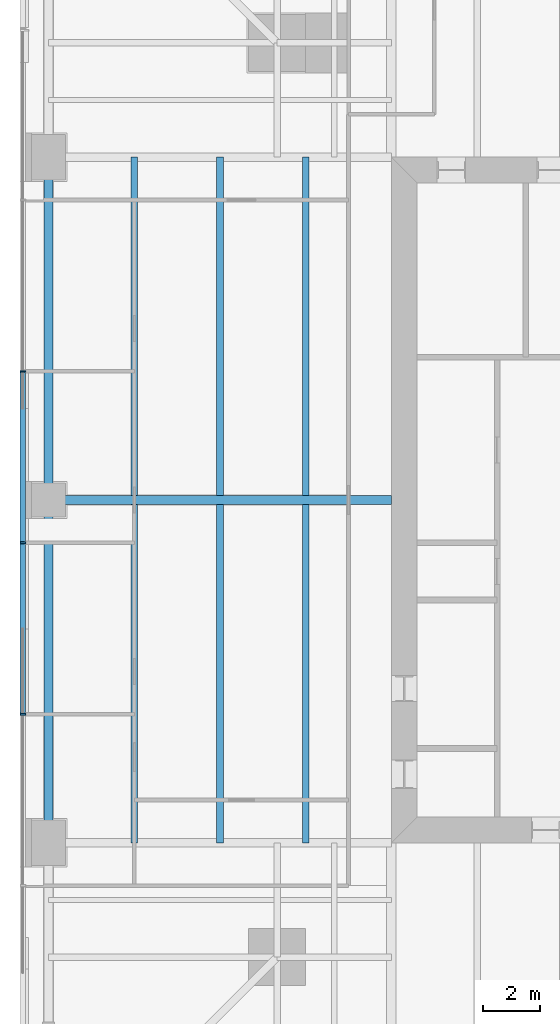
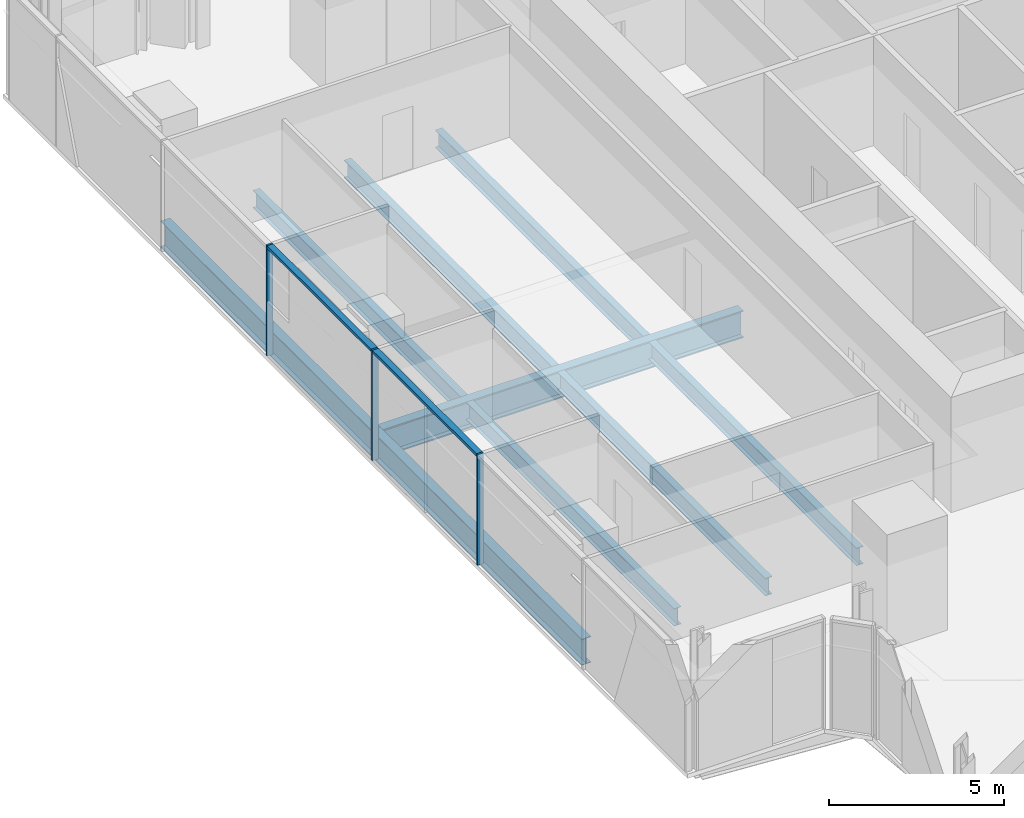
# One storey, part 4 of 16: 9 beams, 5 members, 1 element without a shape of its own.
"""IFC4 building model written with IfcOpenShell, lengths in metres."""

from ifc_helpers import new_model, si_unit, direction, frame, origin, origin_2d, place, context, subcontext, project, spatial, rectangle, i_section, extrude, material, material_profile, profile_set, type_object, element, aggregate, save


model = new_model("IFC4")

# Units and contexts
model_context = context("Model", 3, precision=1e-05, world=origin(), true_north=direction((0.0, 1.0)))
body_context = subcontext(model_context, "Body", "Model", "MODEL_VIEW")
ifc_project = project(units=[si_unit("LENGTHUNIT", "METRE"), si_unit("AREAUNIT", "SQUARE_METRE"), si_unit("VOLUMEUNIT", "CUBIC_METRE"), si_unit("PLANEANGLEUNIT", "RADIAN"), si_unit("MASSUNIT", "GRAM", prefix="KILO")], contexts=[model_context])

# Site, building, storey
site_placement = place(None, origin())
site = spatial("IfcSite", under=ifc_project, at=site_placement, CompositionType="ELEMENT")
building_placement = place(site_placement, origin())
building = spatial("IfcBuilding", under=site, at=building_placement, Name="Fenwick Lantern Interchange", CompositionType="ELEMENT")
storey_placement = place(building_placement, frame((0.0, 0.0, 181.800048828125)))
storey = spatial("IfcBuildingStorey", under=building, at=storey_placement, Name="L42", CompositionType="ELEMENT", Elevation=181.800048828125)

# Beams
ifc_material_1 = material(Name="Steel ASTM A992 Grade 50", Category="steel")
ifc_material_profile_1 = material_profile(ifc_material_1, i_section(OverallWidth=0.3046875, OverallDepth=0.911865234375, WebThickness=0.015869140625, FlangeThickness=0.02392578125, at=origin_2d()), Name="W36X150")
ifc_profile_set_1 = profile_set([ifc_material_profile_1], Name="Steel ASTM A992 Grade 50")
beam_type_1 = type_object("IfcBeamType", Name="EDGE BEAM W36X150", PredefinedType="SPANDREL", material=ifc_profile_set_1)
for number, where, z_axis, x_axis, name in (
    (1, (1.0, 37.0, -0.60595703125), (0.0, -1.0, 0.0), (1.0, 0.0, 0.0), "L42/FR/W/EB2"),
    (2, (1.0, 25.0, -0.60595703125), (0.0, -1.0, 0.0), (1.0, 0.0, 0.0), "L42/FR/W/EB3"),
):
    element("IfcBeam", number, at=place(storey_placement, frame(where, z_axis=z_axis, x_axis=x_axis)), inside=storey, type_object=beam_type_1, Name=name, PredefinedType="SPANDREL", context=body_context, shape_type="SweptSolid", body=[
        extrude(i_section(OverallWidth=0.3046875, OverallDepth=0.911865234375, WebThickness=0.015869140625, FlangeThickness=0.02392578125, at=origin_2d()), origin(), (0.0, 0.0, 1.0), 12.0),
    ])
ifc_material_profile_2 = material_profile(ifc_material_1, i_section(OverallWidth=0.22900390625, OverallDepth=0.612060546875, WebThickness=0.011962890625, FlangeThickness=0.01953125, at=origin_2d()), Name="W24X84")
ifc_profile_set_2 = profile_set([ifc_material_profile_2], Name="Steel ASTM A992 Grade 50")
beam_type_2 = type_object("IfcBeamType", Name="FLOOR BEAM W24X84", PredefinedType="BEAM", material=ifc_profile_set_2)
for number, where, z_axis, x_axis, name in (
    (3, (4.0, 37.0, -0.4560546875), (0.0, -1.0, 0.0), (1.0, 0.0, 0.0), "L42/FR/W/B01"),
    (4, (7.0, 37.0, -0.4560546875), (0.0, -1.0, 0.0), (1.0, 0.0, 0.0), "L42/FR/W/B02"),
    (5, (10.0, 37.0, -0.4560546875), (0.0, -1.0, 0.0), (1.0, 0.0, 0.0), "L42/FR/W/B03"),
    (6, (4.0, 24.844970703125, -0.4560546875), (0.0, -1.0, 0.0), (1.0, 0.0, 0.0), "L42/FR/W/B04"),
    (7, (7.0, 24.844970703125, -0.4560546875), (0.0, -1.0, 0.0), (1.0, 0.0, 0.0), "L42/FR/W/B05"),
    (8, (10.0, 24.844970703125, -0.4560546875), (0.0, -1.0, 0.0), (1.0, 0.0, 0.0), "L42/FR/W/B06"),
):
    element("IfcBeam", number, at=place(storey_placement, frame(where, z_axis=z_axis, x_axis=x_axis)), inside=storey, type_object=beam_type_2, Name=name, PredefinedType="BEAM", context=body_context, shape_type="SweptSolid", body=[
        extrude(i_section(OverallWidth=0.22900390625, OverallDepth=0.612060546875, WebThickness=0.011962890625, FlangeThickness=0.01953125, at=origin_2d()), origin(), (0.0, 0.0, 1.0), 11.844970703125),
    ])
ifc_material_profile_3 = material_profile(ifc_material_1, i_section(OverallWidth=0.309814453125, OverallDepth=0.949951171875, WebThickness=0.0244140625, FlangeThickness=0.0439453125, at=origin_2d()), Name="W36X256")
ifc_profile_set_3 = profile_set([ifc_material_profile_3], Name="Steel ASTM A992 Grade 50")
beam_type_3 = type_object("IfcBeamType", Name="MOMENT-CONNECTED GIRDER W36X256", PredefinedType="BEAM", material=ifc_profile_set_3)
beam_placement = place(storey_placement, frame((1.0, 25.0, -0.625), z_axis=(1.0, 0.0, 0.0), x_axis=(0.0, 1.0, 0.0)))
element("IfcBeam", 9, at=beam_placement, inside=storey, type_object=beam_type_3, Name="L42/FR/W/R02", PredefinedType="BEAM", context=body_context, shape_type="SweptSolid", body=[
    extrude(i_section(OverallWidth=0.309814453125, OverallDepth=0.949951171875, WebThickness=0.0244140625, FlangeThickness=0.0439453125, at=origin_2d()), origin(), (0.0, 0.0, 1.0), 12.0),
])

# Curtain wall, members
ifc_material_2 = material(Name="Aluminium curtain wall frame", Category="aluminium")
curtain_wall_type = type_object("IfcCurtainWallType", Name="OFFICE CURTAIN WALL", PredefinedType="USERDEFINED", material=ifc_material_2)
curtain_wall_placement = place(storey_placement, origin())
curtain_wall = element("IfcCurtainWall", 10, at=curtain_wall_placement, inside=storey, type_object=curtain_wall_type, Name="Office curtain wall 13", ObjectType="OFFICE CURTAIN WALL", PredefinedType="USERDEFINED")
ifc_material_3 = material(Name="Aluminium extrusion", Category="aluminium")
ifc_material_profile_4 = material_profile(ifc_material_3, rectangle(XDim=0.199951171875, YDim=0.06494140625, at=origin_2d()), Name="OFFICE CURTAIN WALL MULLION 65 X 200")
ifc_profile_set_4 = profile_set([ifc_material_profile_4], Name="Aluminium extrusion")
member_type_1 = type_object("IfcMemberType", Name="OFFICE CURTAIN WALL MULLION 65 X 200", PredefinedType="MULLION", material=ifc_profile_set_4)
member_1_placement = place(storey_placement, frame((0.10009765625, 29.5, 0.0), z_axis=(0.0, 0.0, 1.0), x_axis=(1.0, 0.0, 0.0)))
member_1 = element("IfcMember", 11, at=member_1_placement, type_object=member_type_1, Name="L42/CW/13/M03", PredefinedType="MULLION", context=body_context, shape_type="SweptSolid", body=[
    extrude(rectangle(XDim=0.199951171875, YDim=0.06494140625, at=origin_2d()), origin(), (0.0, 0.0, 1.0), 3.849853515625),
])
member_2_placement = place(storey_placement, frame((0.10009765625, 23.5, 0.0), z_axis=(0.0, 0.0, 1.0), x_axis=(1.0, 0.0, 0.0)))
member_2 = element("IfcMember", 12, at=member_2_placement, type_object=member_type_1, Name="L42/CW/13/M04", PredefinedType="MULLION", context=body_context, shape_type="SweptSolid", body=[
    extrude(rectangle(XDim=0.199951171875, YDim=0.06494140625, at=origin_2d()), origin(), (0.0, 0.0, 1.0), 3.849853515625),
])
member_3_placement = place(storey_placement, frame((0.10009765625, 17.5, 0.0), z_axis=(0.0, 0.0, 1.0), x_axis=(1.0, 0.0, 0.0)))
member_3 = element("IfcMember", 13, at=member_3_placement, type_object=member_type_1, Name="L42/CW/13/M05", PredefinedType="MULLION", context=body_context, shape_type="SweptSolid", body=[
    extrude(rectangle(XDim=0.199951171875, YDim=0.06494140625, at=origin_2d()), origin(), (0.0, 0.0, 1.0), 3.849853515625),
])
ifc_material_profile_5 = material_profile(ifc_material_3, rectangle(XDim=0.199951171875, YDim=0.10009765625, at=origin_2d()), Name="OFFICE CURTAIN WALL TRANSOM 100 X 200")
ifc_profile_set_5 = profile_set([ifc_material_profile_5], Name="Aluminium extrusion")
member_type_2 = type_object("IfcMemberType", Name="OFFICE CURTAIN WALL TRANSOM 100 X 200", PredefinedType="MULLION", material=ifc_profile_set_5)
member_4_placement = place(storey_placement, frame((0.10009765625, 29.467529296875, 3.800048828125), z_axis=(0.0, -1.0, 0.0), x_axis=(1.0, 0.0, 0.0)))
member_4 = element("IfcMember", 14, at=member_4_placement, type_object=member_type_2, Name="L42/CW/13/T03", PredefinedType="MULLION", context=body_context, shape_type="SweptSolid", body=[
    extrude(rectangle(XDim=0.199951171875, YDim=0.10009765625, at=origin_2d()), origin(), (0.0, 0.0, 1.0), 5.93505859375),
])
member_5_placement = place(storey_placement, frame((0.10009765625, 23.467529296875, 3.800048828125), z_axis=(0.0, -1.0, 0.0), x_axis=(1.0, 0.0, 0.0)))
member_5 = element("IfcMember", 15, at=member_5_placement, type_object=member_type_2, Name="L42/CW/13/T04", PredefinedType="MULLION", context=body_context, shape_type="SweptSolid", body=[
    extrude(rectangle(XDim=0.199951171875, YDim=0.10009765625, at=origin_2d()), origin(), (0.0, 0.0, 1.0), 5.93505859375),
])
aggregate(curtain_wall, [member_1, member_2, member_3, member_4, member_5])

save(model, "model.ifc")
